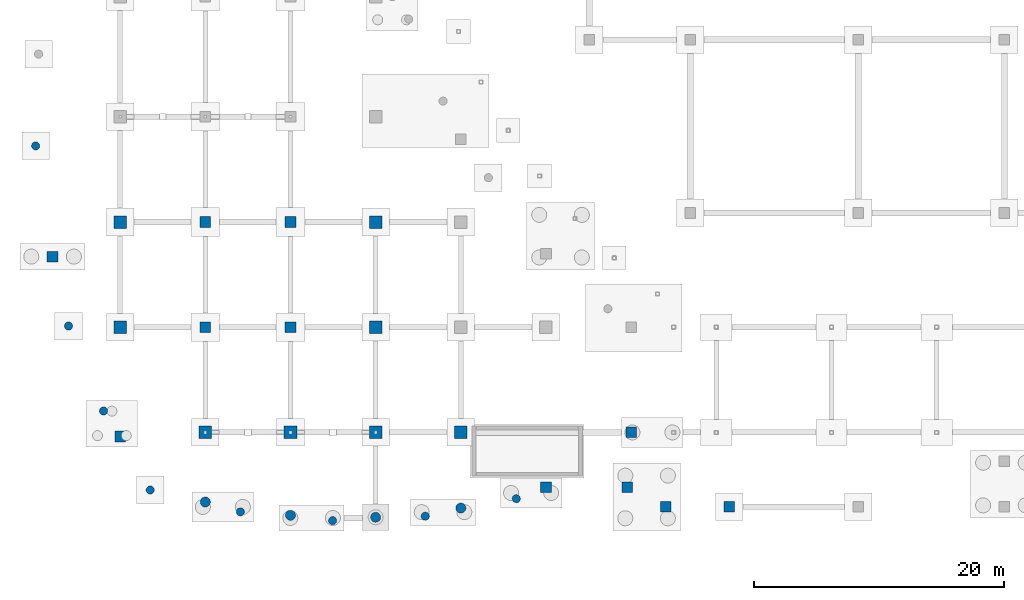
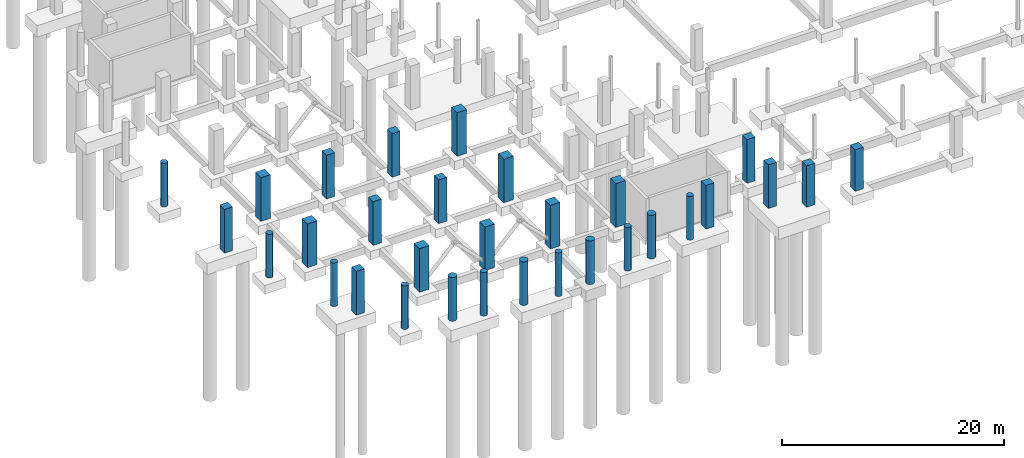
# One storey, part 8 of 44: 31 columns.
"""IFC4 building model written with IfcOpenShell, lengths in metres."""

from ifc_helpers import new_model, si_unit, direction, frame, origin, origin_2d, place, context, subcontext, project, spatial, rectangle, circle, extrude, material, material_profile, profile_set, type_object, element, save


model = new_model("IFC4")

# Units and contexts
model_context = context("Model", 3, precision=1e-05, world=origin(), true_north=direction((0.0, 1.0)))
body_context = subcontext(model_context, "Body", "Model", "MODEL_VIEW")
ifc_project = project(units=[si_unit("LENGTHUNIT", "METRE"), si_unit("AREAUNIT", "SQUARE_METRE"), si_unit("VOLUMEUNIT", "CUBIC_METRE"), si_unit("PLANEANGLEUNIT", "RADIAN"), si_unit("MASSUNIT", "GRAM", prefix="KILO")], contexts=[model_context])

# Site, building, storey
site_placement = place(None, origin())
site = spatial("IfcSite", under=ifc_project, at=site_placement, CompositionType="ELEMENT")
building_placement = place(site_placement, origin())
building = spatial("IfcBuilding", under=site, at=building_placement, Name="Kisaragi Civic Commons", CompositionType="ELEMENT")
storey_placement = place(building_placement, frame((0.0, 0.0, -4.800048828125)))
storey = spatial("IfcBuildingStorey", under=building, at=storey_placement, Name="B1", CompositionType="ELEMENT", Elevation=-4.800048828125)

# Columns
ifc_material_1 = material(Name="Concrete Fc36", Category="concrete")
ifc_material_profile_1 = material_profile(ifc_material_1, rectangle(XDim=0.85009765625, YDim=0.85009765625, at=origin_2d()), Name="RC-850x850", Category="concrete")
ifc_profile_set_1 = profile_set([ifc_material_profile_1], Name="Concrete Fc36")
column_type_1 = type_object("IfcColumnType", Name="C-01", PredefinedType="COLUMN", material=ifc_profile_set_1)
for number, where, z_axis, x_axis, name in (
    (1, (13.60009765625, 16.800048828125, 0.0), (0.0, 0.0, 1.0), (1.0, 0.0, 0.0), "B1 column C-01 (13.6,16.8)"),
    (2, (13.60009765625, 25.199951171875, 0.0), (0.0, 0.0, 1.0), (1.0, 0.0, 0.0), "B1 column C-01 (13.6,25.2)"),
    (3, (20.39990234375, 16.800048828125, 0.0), (0.0, 0.0, 1.0), (1.0, 0.0, 0.0), "B1 column C-01 (20.4,16.8)"),
    (4, (20.39990234375, 25.199951171875, 0.0), (0.0, 0.0, 1.0), (1.0, 0.0, 0.0), "B1 column C-01 (20.4,25.2)"),
):
    element("IfcColumn", number, at=place(storey_placement, frame(where, z_axis=z_axis, x_axis=x_axis)), inside=storey, type_object=column_type_1, Name=name, PredefinedType="COLUMN", context=body_context, shape_type="SweptSolid", body=[
        extrude(rectangle(XDim=0.85009765625, YDim=0.85009765625, at=origin_2d()), origin(), (0.0, 0.0, 1.0), 4.800048828125),
    ])
for number, where, z_axis, x_axis, name in (
    (5, (50.3720703125, 2.467041015625, 0.0), (0.0, 0.0, 1.0), (1.0, 0.0, 0.0), "B1 column C-01 (50.4,2.5)"),
    (6, (55.427978515625, 2.467041015625, 0.0), (0.0, 0.0, 1.0), (1.0, 0.0, 0.0), "B1 column C-01 (55.4,2.5)"),
):
    element("IfcColumn", number, at=place(storey_placement, frame(where, z_axis=z_axis, x_axis=x_axis)), inside=storey, type_object=column_type_1, Name=name, PredefinedType="COLUMN", context=body_context, shape_type="SweptSolid", body=[
        extrude(rectangle(XDim=0.85009765625, YDim=0.85009765625, at=origin_2d()), origin(), (0.0, 0.0, 1.0), 4.554931640625),
    ])
ifc_material_profile_2 = material_profile(ifc_material_1, rectangle(XDim=0.85009765625, YDim=0.85009765625, at=origin_2d()), Name="RC-850x850", Category="concrete")
ifc_profile_set_2 = profile_set([ifc_material_profile_2], Name="Concrete Fc36")
column_type_2 = type_object("IfcColumnType", Name="C-05", PredefinedType="COLUMN", material=ifc_profile_set_2)
for number, where, z_axis, x_axis, name in (
    (7, (1.39990234375, 22.4384765625, 0.0), (0.0, 0.0, 1.0), (1.0, 0.0, 0.0), "B1 column C-05 (1.4,22.4)"),
    (8, (6.800048828125, 8.076171875, 0.0), (0.0, 0.0, 1.0), (1.0, 0.0, 0.0), "B1 column C-05 (6.8,8.1)"),
    (9, (40.800048828125, 4.02001953125, 0.0), (0.0, 0.0, 1.0), (1.0, 0.0, 0.0), "B1 column C-05 (40.8,4.0)"),
    (10, (47.300048828125, 4.02001953125, 0.0), (0.0, 0.0, 1.0), (1.0, 0.0, 0.0), "B1 column C-05 (47.3,4.0)"),
    (11, (47.60009765625, 8.39990234375, 0.0), (0.0, 0.0, 1.0), (1.0, 0.0, 0.0), "B1 column C-05 (47.6,8.4)"),
):
    element("IfcColumn", number, at=place(storey_placement, frame(where, z_axis=z_axis, x_axis=x_axis)), inside=storey, type_object=column_type_2, Name=name, PredefinedType="COLUMN", context=body_context, shape_type="SweptSolid", body=[
        extrude(rectangle(XDim=0.85009765625, YDim=0.85009765625, at=origin_2d()), origin(), (0.0, 0.0, 1.0), 4.800048828125),
    ])
ifc_material_2 = material(Name="Concrete Fc30", Category="concrete")
ifc_material_profile_3 = material_profile(ifc_material_2, circle(Radius=0.324951171875, at=origin_2d()), Name="RC-D650", Category="concrete")
ifc_profile_set_3 = profile_set([ifc_material_profile_3], Name="Concrete Fc30")
column_type_3 = type_object("IfcColumnType", Name="C-12", PredefinedType="COLUMN", material=ifc_profile_set_3)
for number, where, z_axis, x_axis, name in (
    (12, (0.051513671875, 31.277099609375, 0.0), (0.0, 0.0, 1.0), (1.0, 0.0, 0.0), "B1 column C-12 (0.1,31.3)"),
    (13, (2.67431640625, 16.888916015625, 0.0), (0.0, 0.0, 1.0), (1.0, 0.0, 0.0), "B1 column C-12 (2.7,16.9)"),
    (14, (5.474609375, 10.11376953125, 0.0), (0.0, 0.0, 1.0), (1.0, 0.0, 0.0), "B1 column C-12 (5.5,10.1)"),
    (15, (9.199951171875, 3.800048828125, 0.0), (0.0, 0.0, 1.0), (1.0, 0.0, 0.0), "B1 column C-12 (9.2,3.8)"),
    (16, (16.3955078125, 2.058349609375, 0.0), (0.0, 0.0, 1.0), (1.0, 0.0, 0.0), "B1 column C-12 (16.4,2.1)"),
    (17, (23.76513671875, 1.356201171875, 0.0), (0.0, 0.0, 1.0), (1.0, 0.0, 0.0), "B1 column C-12 (23.8,1.4)"),
    (18, (31.159912109375, 1.707763671875, 0.0), (0.0, 0.0, 1.0), (1.0, 0.0, 0.0), "B1 column C-12 (31.2,1.7)"),
    (19, (38.429931640625, 3.105712890625, 0.0), (0.0, 0.0, 1.0), (1.0, 0.0, 0.0), "B1 column C-12 (38.4,3.1)"),
):
    element("IfcColumn", number, at=place(storey_placement, frame(where, z_axis=z_axis, x_axis=x_axis)), inside=storey, type_object=column_type_3, Name=name, PredefinedType="COLUMN", context=body_context, shape_type="SweptSolid", body=[
        extrude(circle(Radius=0.324951171875, at=origin_2d()), origin(), (0.0, 0.0, 1.0), 4.800048828125),
    ])
ifc_material_profile_4 = material_profile(ifc_material_1, circle(Radius=0.39990234375, at=origin_2d()), Name="RC-D800", Category="concrete")
ifc_profile_set_4 = profile_set([ifc_material_profile_4], Name="Concrete Fc36")
column_type_4 = type_object("IfcColumnType", Name="C-19", PredefinedType="COLUMN", material=ifc_profile_set_4)
for number, where, z_axis, x_axis, name in (
    (20, (13.60009765625, 2.8408203125, 0.0), (0.0, 0.0, 1.0), (1.0, 0.0, 0.0), "B1 column C-19 (13.6,2.8)"),
    (21, (20.39990234375, 1.780029296875, 0.0), (0.0, 0.0, 1.0), (1.0, 0.0, 0.0), "B1 column C-19 (20.4,1.8)"),
    (22, (27.199951171875, 1.622314453125, 0.0), (0.0, 0.0, 1.0), (1.0, 0.0, 0.0), "B1 column C-19 (27.2,1.6)"),
    (23, (34.0, 2.3583984375, 0.0), (0.0, 0.0, 1.0), (1.0, 0.0, 0.0), "B1 column C-19 (34.0,2.4)"),
):
    element("IfcColumn", number, at=place(storey_placement, frame(where, z_axis=z_axis, x_axis=x_axis)), inside=storey, type_object=column_type_4, Name=name, PredefinedType="COLUMN", context=body_context, shape_type="SweptSolid", body=[
        extrude(circle(Radius=0.39990234375, at=origin_2d()), origin(), (0.0, 0.0, 1.0), 4.800048828125),
    ])
ifc_material_profile_5 = material_profile(ifc_material_1, rectangle(XDim=1.0, YDim=1.0, at=origin_2d()), Name="RC-1000x1000", Category="concrete")
ifc_profile_set_5 = profile_set([ifc_material_profile_5], Name="Concrete Fc36")
column_type_5 = type_object("IfcColumnType", Name="C-22", PredefinedType="COLUMN", material=ifc_profile_set_5)
for number, where, z_axis, x_axis, name in (
    (24, (6.800048828125, 16.800048828125, 0.0), (0.0, 0.0, 1.0), (1.0, 0.0, 0.0), "B1 column C-22 (6.8,16.8)"),
    (25, (6.800048828125, 25.199951171875, 0.0), (0.0, 0.0, 1.0), (1.0, 0.0, 0.0), "B1 column C-22 (6.8,25.2)"),
    (26, (13.60009765625, 8.39990234375, 0.0), (0.0, 0.0, 1.0), (1.0, 0.0, 0.0), "B1 column C-22 (13.6,8.4)"),
    (27, (20.39990234375, 8.39990234375, 0.0), (0.0, 0.0, 1.0), (1.0, 0.0, 0.0), "B1 column C-22 (20.4,8.4)"),
    (28, (27.199951171875, 8.39990234375, 0.0), (0.0, 0.0, 1.0), (1.0, 0.0, 0.0), "B1 column C-22 (27.2,8.4)"),
    (29, (27.199951171875, 16.800048828125, 0.0), (0.0, 0.0, 1.0), (1.0, 0.0, 0.0), "B1 column C-22 (27.2,16.8)"),
    (30, (27.199951171875, 25.199951171875, 0.0), (0.0, 0.0, 1.0), (1.0, 0.0, 0.0), "B1 column C-22 (27.2,25.2)"),
    (31, (34.0, 8.39990234375, 0.0), (0.0, 0.0, 1.0), (1.0, 0.0, 0.0), "B1 column C-22 (34.0,8.4)"),
):
    element("IfcColumn", number, at=place(storey_placement, frame(where, z_axis=z_axis, x_axis=x_axis)), inside=storey, type_object=column_type_5, Name=name, PredefinedType="COLUMN", context=body_context, shape_type="SweptSolid", body=[
        extrude(rectangle(XDim=1.0, YDim=1.0, at=origin_2d()), origin(), (0.0, 0.0, 1.0), 4.800048828125),
    ])

save(model, "model.ifc")
